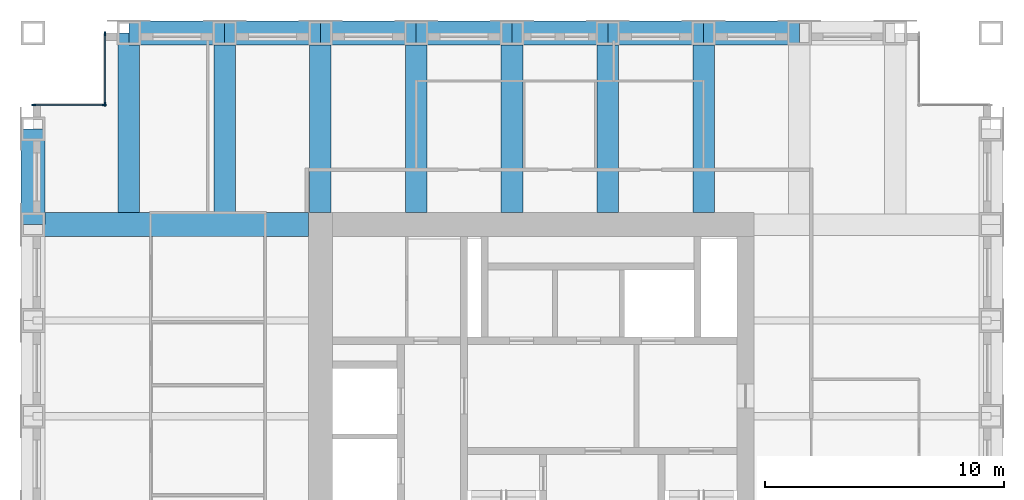
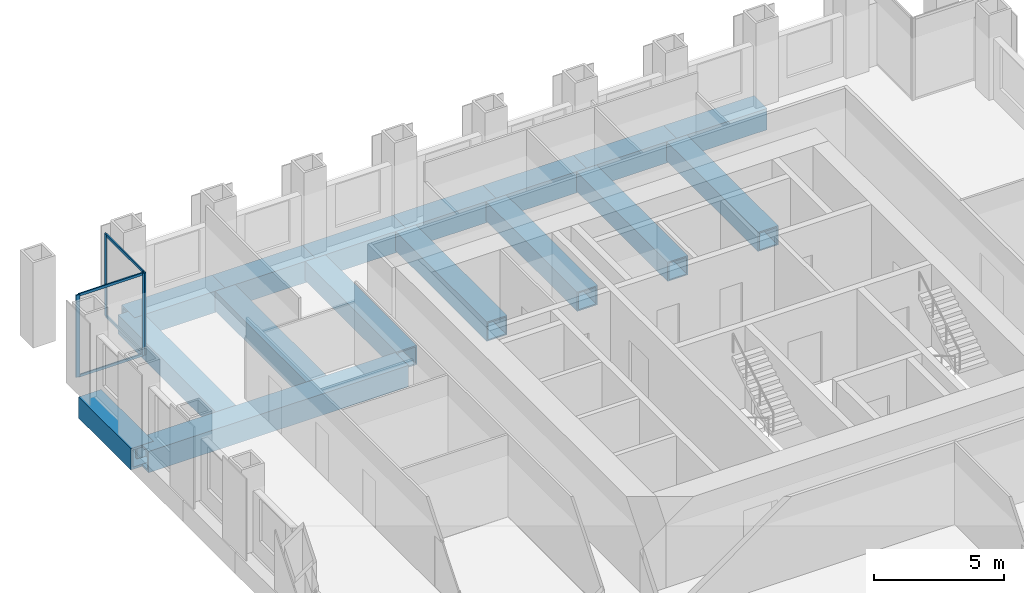
# One storey, part 5 of 11: 16 beams, 8 members, 2 elements without a shape of their own.
"""IFC4 building model written with IfcOpenShell, lengths in metres."""

from ifc_helpers import new_model, si_unit, direction, frame, origin, origin_2d, place, context, subcontext, project, spatial, rectangle, hollow_rectangle, extrude, material, material_profile, profile_set, type_object, element, aggregate, save


model = new_model("IFC4")

# Units and contexts
model_context = context("Model", 3, precision=1e-05, world=origin(), true_north=direction((0.0, 1.0)))
body_context = subcontext(model_context, "Body", "Model", "MODEL_VIEW")
ifc_project = project(units=[si_unit("LENGTHUNIT", "METRE"), si_unit("AREAUNIT", "SQUARE_METRE"), si_unit("VOLUMEUNIT", "CUBIC_METRE"), si_unit("PLANEANGLEUNIT", "RADIAN"), si_unit("MASSUNIT", "GRAM", prefix="KILO")], contexts=[model_context])

# Site, building, storey
site_placement = place(None, origin())
site = spatial("IfcSite", under=ifc_project, at=site_placement, CompositionType="ELEMENT")
building_placement = place(site_placement, origin())
building = spatial("IfcBuilding", under=site, at=building_placement, Name="Rimbunsela Tower", CompositionType="ELEMENT")
storey_placement = place(building_placement, frame((0.0, 0.0, 278.199951171875)))
storey = spatial("IfcBuildingStorey", under=building, at=storey_placement, Name="L67", CompositionType="ELEMENT", Elevation=278.199951171875)

# Beams
ifc_material_1 = material(Name="Steel BJ 55 (fy 410 MPa)", Category="steel")
ifc_material_profile_1 = material_profile(ifc_material_1, hollow_rectangle(XDim=1.0, YDim=1.0, WallThickness=0.10009765625, at=origin_2d()), Name="BOX 1000x1000x100")
ifc_profile_set_1 = profile_set([ifc_material_profile_1], Name="Steel BJ 55 (fy 410 MPa)")
beam_type_1 = type_object("IfcBeamType", Name="Beam BOX 1000x1000x100", PredefinedType="BEAM", material=ifc_profile_set_1)
beam_1_placement = place(storey_placement, frame((6.0, 36.0, -0.64990234375), z_axis=(0.0, 1.0, 0.0), x_axis=(-1.0, 0.0, 0.0)))
element("IfcBeam", 1, at=beam_1_placement, inside=storey, type_object=beam_type_1, Name="Beam B3 L67", PredefinedType="BEAM", context=body_context, shape_type="SweptSolid", body=[
    extrude(hollow_rectangle(XDim=1.0, YDim=1.0, WallThickness=0.10009765625, at=origin_2d()), origin(), (0.0, 0.0, 1.0), 4.0),
])
beam_2_placement = place(storey_placement, frame((6.0, 36.0, -0.64990234375), z_axis=(1.0, 0.0, 0.0), x_axis=(0.0, 1.0, 0.0)))
element("IfcBeam", 2, at=beam_2_placement, inside=storey, type_object=beam_type_1, Name="Beam B3 L67", PredefinedType="BEAM", context=body_context, shape_type="SweptSolid", body=[
    extrude(hollow_rectangle(XDim=1.0, YDim=1.0, WallThickness=0.10009765625, at=origin_2d()), origin(), (0.0, 0.0, 1.0), 11.5),
])
for number, where, z_axis, x_axis, name in (
    (3, (10.0, 44.0, -0.64990234375), (1.0, 0.0, 0.0), (0.0, 1.0, 0.0), "Beam B3 L67"),
    (4, (14.0, 44.0, -0.64990234375), (1.0, 0.0, 0.0), (0.0, 1.0, 0.0), "Beam B3 L67"),
    (5, (18.0, 44.0, -0.64990234375), (1.0, 0.0, 0.0), (0.0, 1.0, 0.0), "Beam B3 L67"),
    (6, (22.0, 44.0, -0.64990234375), (1.0, 0.0, 0.0), (0.0, 1.0, 0.0), "Beam B3 L67"),
    (7, (26.0, 44.0, -0.64990234375), (1.0, 0.0, 0.0), (0.0, 1.0, 0.0), "Beam B3 L67"),
    (8, (30.0, 44.0, -0.64990234375), (1.0, 0.0, 0.0), (0.0, 1.0, 0.0), "Beam B3 L67"),
    (9, (34.0, 44.0, -0.64990234375), (1.0, 0.0, 0.0), (0.0, 1.0, 0.0), "Beam B3 L67"),
):
    element("IfcBeam", number, at=place(storey_placement, frame(where, z_axis=z_axis, x_axis=x_axis)), inside=storey, type_object=beam_type_1, Name=name, PredefinedType="BEAM", context=body_context, shape_type="SweptSolid", body=[
        extrude(hollow_rectangle(XDim=1.0, YDim=1.0, WallThickness=0.10009765625, at=origin_2d()), origin(), (0.0, 0.0, 1.0), 4.0),
    ])
ifc_material_2 = material(Name="Steel BJ 55 (fy 410 MPa)", Category="steel")
ifc_material_profile_2 = material_profile(ifc_material_2, hollow_rectangle(XDim=0.89990234375, YDim=0.89990234375, WallThickness=0.06005859375, at=origin_2d()), Name="BOX 900x900x60")
ifc_profile_set_2 = profile_set([ifc_material_profile_2], Name="Steel BJ 55 (fy 410 MPa)")
beam_type_2 = type_object("IfcBeamType", Name="Beam BOX 900x900x60", PredefinedType="BEAM", material=ifc_profile_set_2)
for number, where, z_axis, x_axis, name in (
    (10, (10.0, 36.5, -0.599853515625), (0.0, 1.0, 0.0), (-1.0, 0.0, 0.0), "Beam B1 L67"),
    (11, (14.0, 36.5, -0.599853515625), (0.0, 1.0, 0.0), (-1.0, 0.0, 0.0), "Beam B1 L67"),
    (12, (18.0, 36.5, -0.599853515625), (0.0, 1.0, 0.0), (-1.0, 0.0, 0.0), "Beam B1 L67"),
    (13, (22.0, 36.5, -0.599853515625), (0.0, 1.0, 0.0), (-1.0, 0.0, 0.0), "Beam B1 L67"),
    (14, (26.0, 36.5, -0.599853515625), (0.0, 1.0, 0.0), (-1.0, 0.0, 0.0), "Beam B1 L67"),
    (15, (30.0, 36.5, -0.599853515625), (0.0, 1.0, 0.0), (-1.0, 0.0, 0.0), "Beam B1 L67"),
    (16, (34.0, 36.5, -0.599853515625), (0.0, 1.0, 0.0), (-1.0, 0.0, 0.0), "Beam B1 L67"),
):
    element("IfcBeam", number, at=place(storey_placement, frame(where, z_axis=z_axis, x_axis=x_axis)), inside=storey, type_object=beam_type_2, Name=name, PredefinedType="BEAM", context=body_context, shape_type="SweptSolid", body=[
        extrude(hollow_rectangle(XDim=0.89990234375, YDim=0.89990234375, WallThickness=0.06005859375, at=origin_2d()), origin(), (0.0, 0.0, 1.0), 7.5),
    ])

# Curtain wall, members
ifc_material_3 = material(Name="Aluminium curtain wall", Category="aluminium")
curtain_wall_type = type_object("IfcCurtainWallType", Name="Corner glazing", PredefinedType="USERDEFINED", material=ifc_material_3)
curtain_wall_1_placement = place(storey_placement, origin())
curtain_wall_1 = element("IfcCurtainWall", 17, at=curtain_wall_1_placement, inside=storey, type_object=curtain_wall_type, Name="Corner glazing L67", ObjectType="CORNER GLAZING", PredefinedType="USERDEFINED")
ifc_material_4 = material(Name="Aluminium mullion", Category="aluminium")
ifc_material_profile_3 = material_profile(ifc_material_4, rectangle(XDim=0.06005859375, YDim=0.159912109375, at=origin_2d()), Name="Mullion 60x160")
ifc_profile_set_3 = profile_set([ifc_material_profile_3], Name="Aluminium mullion")
member_type_1 = type_object("IfcMemberType", Name="Curtain wall mullion 60x160", PredefinedType="MULLION", material=ifc_profile_set_3)
member_1_placement = place(storey_placement, frame((9.0, 43.969970703125, 0.0), z_axis=(0.0, 0.0, 1.0), x_axis=(1.0, 0.0, 0.0)))
member_1 = element("IfcMember", 18, at=member_1_placement, type_object=member_type_1, Name="CW5 mullion 1", PredefinedType="MULLION", context=body_context, shape_type="SweptSolid", body=[
    extrude(rectangle(XDim=0.06005859375, YDim=0.159912109375, at=origin_2d()), origin(), (0.0, 0.0, 1.0), 3.85009765625),
])
member_2_placement = place(storey_placement, frame((9.0, 41.030029296875, 0.0), z_axis=(0.0, 0.0, 1.0), x_axis=(1.0, 0.0, 0.0)))
member_2 = element("IfcMember", 19, at=member_2_placement, type_object=member_type_1, Name="CW5 mullion 2", PredefinedType="MULLION", context=body_context, shape_type="SweptSolid", body=[
    extrude(rectangle(XDim=0.06005859375, YDim=0.159912109375, at=origin_2d()), origin(), (0.0, 0.0, 1.0), 3.85009765625),
])

curtain_wall_2_placement = place(storey_placement, origin())
curtain_wall_2 = element("IfcCurtainWall", 20, at=curtain_wall_2_placement, inside=storey, type_object=curtain_wall_type, Name="Corner glazing L67", ObjectType="CORNER GLAZING", PredefinedType="USERDEFINED")
member_3_placement = place(storey_placement, frame((8.969970703125, 41.0, 0.0), z_axis=(0.0, 0.0, 1.0), x_axis=(0.0, -1.0, 0.0)))
member_3 = element("IfcMember", 21, at=member_3_placement, type_object=member_type_1, Name="CW5 mullion 1", PredefinedType="MULLION", context=body_context, shape_type="SweptSolid", body=[
    extrude(rectangle(XDim=0.06005859375, YDim=0.159912109375, at=origin_2d()), origin(), (0.0, 0.0, 1.0), 3.85009765625),
])
member_4_placement = place(storey_placement, frame((6.030029296875, 41.0, 0.0), z_axis=(0.0, 0.0, 1.0), x_axis=(0.0, -1.0, 0.0)))
member_4 = element("IfcMember", 22, at=member_4_placement, type_object=member_type_1, Name="CW5 mullion 2", PredefinedType="MULLION", context=body_context, shape_type="SweptSolid", body=[
    extrude(rectangle(XDim=0.06005859375, YDim=0.159912109375, at=origin_2d()), origin(), (0.0, 0.0, 1.0), 3.85009765625),
])

# Member
ifc_material_5 = material(Name="Aluminium transom", Category="aluminium")
ifc_material_profile_4 = material_profile(ifc_material_5, rectangle(XDim=0.06005859375, YDim=0.1201171875, at=origin_2d()), Name="Transom 60x120")
ifc_profile_set_4 = profile_set([ifc_material_profile_4], Name="Aluminium transom")
member_type_2 = type_object("IfcMemberType", Name="Curtain wall transom 60x120", PredefinedType="USERDEFINED", material=ifc_profile_set_4)
member_5_placement = place(storey_placement, frame((9.0, 43.93994140625, 0.030029296875), z_axis=(0.0, -1.0, 0.0), x_axis=(1.0, 0.0, 0.0)))
member_5 = element("IfcMember", 23, at=member_5_placement, type_object=member_type_2, Name="CW5 transom 1.1", ObjectType="TRANSOM", PredefinedType="USERDEFINED", context=body_context, shape_type="SweptSolid", body=[
    extrude(rectangle(XDim=0.06005859375, YDim=0.1201171875, at=origin_2d()), origin(), (0.0, 0.0, 1.0), 2.8798828125),
])

member_6_placement = place(storey_placement, frame((9.0, 43.93994140625, 3.820068359375), z_axis=(0.0, -1.0, 0.0), x_axis=(1.0, 0.0, 0.0)))
member_6 = element("IfcMember", 24, at=member_6_placement, type_object=member_type_2, Name="CW5 transom 1.2", ObjectType="TRANSOM", PredefinedType="USERDEFINED", context=body_context, shape_type="SweptSolid", body=[
    extrude(rectangle(XDim=0.06005859375, YDim=0.1201171875, at=origin_2d()), origin(), (0.0, 0.0, 1.0), 2.8798828125),
])

aggregate(curtain_wall_1, [member_1, member_2, member_5, member_6])

member_7_placement = place(storey_placement, frame((8.93994140625, 41.0, 0.030029296875), z_axis=(-1.0, 0.0, 0.0), x_axis=(0.0, -1.0, 0.0)))
member_7 = element("IfcMember", 25, at=member_7_placement, type_object=member_type_2, Name="CW5 transom 1.1", ObjectType="TRANSOM", PredefinedType="USERDEFINED", context=body_context, shape_type="SweptSolid", body=[
    extrude(rectangle(XDim=0.06005859375, YDim=0.1201171875, at=origin_2d()), origin(), (0.0, 0.0, 1.0), 2.8798828125),
])

member_8_placement = place(storey_placement, frame((8.93994140625, 41.0, 3.820068359375), z_axis=(-1.0, 0.0, 0.0), x_axis=(0.0, -1.0, 0.0)))
member_8 = element("IfcMember", 26, at=member_8_placement, type_object=member_type_2, Name="CW5 transom 1.2", ObjectType="TRANSOM", PredefinedType="USERDEFINED", context=body_context, shape_type="SweptSolid", body=[
    extrude(rectangle(XDim=0.06005859375, YDim=0.1201171875, at=origin_2d()), origin(), (0.0, 0.0, 1.0), 2.8798828125),
])

aggregate(curtain_wall_2, [member_3, member_4, member_7, member_8])

save(model, "model.ifc")
